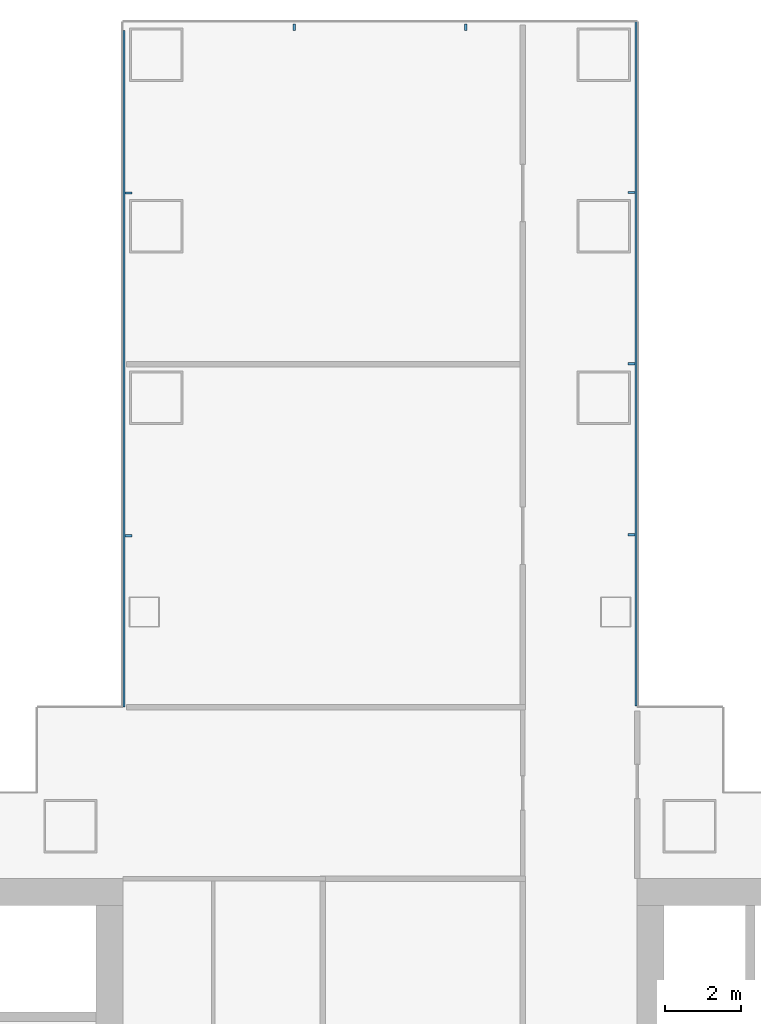
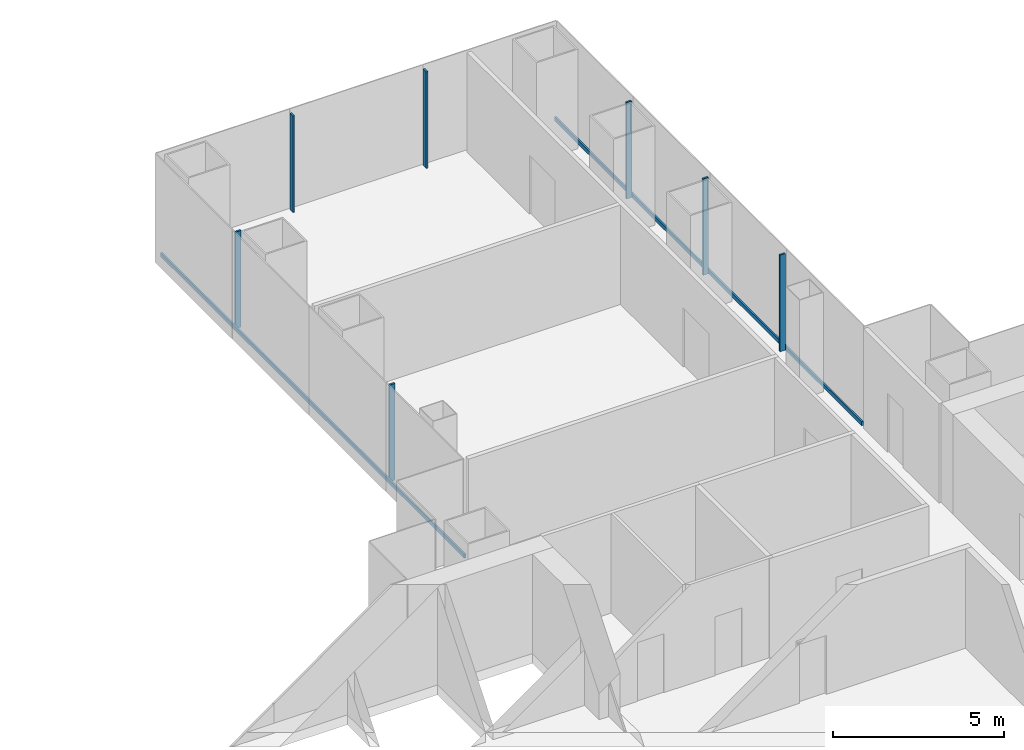
# One storey, part 10 of 21: 9 members, 3 elements without a shape of their own.
"""IFC4 building model written with IfcOpenShell, lengths in metres."""

from ifc_helpers import new_model, si_unit, direction, frame, origin, origin_2d, place, context, subcontext, project, spatial, rectangle, extrude, material, layer, layer_set, material_profile, profile_set, type_object, element, aggregate, save


model = new_model("IFC4")

# Units and contexts
model_context = context("Model", 3, precision=1e-05, world=origin(), true_north=direction((0.0, 1.0)))
body_context = subcontext(model_context, "Body", "Model", "MODEL_VIEW")
ifc_project = project(units=[si_unit("LENGTHUNIT", "METRE"), si_unit("AREAUNIT", "SQUARE_METRE"), si_unit("VOLUMEUNIT", "CUBIC_METRE"), si_unit("PLANEANGLEUNIT", "RADIAN"), si_unit("MASSUNIT", "GRAM", prefix="KILO")], contexts=[model_context])

# Site, building, storey
site_placement = place(None, origin())
site = spatial("IfcSite", under=ifc_project, at=site_placement, CompositionType="ELEMENT")
building_placement = place(site_placement, origin())
building = spatial("IfcBuilding", under=site, at=building_placement, Name="Shamsa Quay Exchange Towers", CompositionType="ELEMENT")
storey_placement = place(building_placement, frame((0.0, 0.0, 65.39990234375)))
storey = spatial("IfcBuildingStorey", under=building, at=storey_placement, Name="L14", CompositionType="ELEMENT", Elevation=65.39990234375)

# Curtain wall, members
ifc_material = material(Name="Aluminium EN AW-6063 T6, black anodised", Category="aluminium")
ifc_layer = layer(ifc_material, 0.280029296875)
ifc_layer_set = layer_set([ifc_layer], Name="CW-1 UNITISED VISION GLASS")
curtain_wall_type = type_object("IfcCurtainWallType", Name="CW-1 UNITISED VISION GLASS", PredefinedType="NOTDEFINED", material=ifc_layer_set)
curtain_wall_1_placement = place(storey_placement, origin())
curtain_wall_1 = element("IfcCurtainWall", 1, at=curtain_wall_1_placement, inside=storey, type_object=curtain_wall_type, Name="CW1 T2-FLK-U+S L14", PredefinedType="NOTDEFINED")
ifc_material_profile_1 = material_profile(ifc_material, rectangle(XDim=0.179931640625, YDim=0.06005859375, at=origin_2d()), Name="MU60x180")
ifc_profile_set_1 = profile_set([ifc_material_profile_1], Name="Aluminium EN AW-6063 T6, black anodised")
member_type_1 = type_object("IfcMemberType", Name="CW1 MULLION 60x180", PredefinedType="MULLION", material=ifc_profile_set_1)
member_1_placement = place(storey_placement, frame((40.35009765625, 15.778564453125, 0.0), z_axis=(0.0, 0.0, 1.0), x_axis=(-1.0, 0.0, 0.0)))
member_1 = element("IfcMember", 2, at=member_1_placement, type_object=member_type_1, Name="CW1 mullion", PredefinedType="MULLION", context=body_context, shape_type="SweptSolid", body=[
    extrude(rectangle(XDim=0.179931640625, YDim=0.06005859375, at=origin_2d()), origin(), (0.0, 0.0, 1.0), 3.4501953125),
])
member_2_placement = place(storey_placement, frame((40.35009765625, 20.26904296875, 0.0), z_axis=(0.0, 0.0, 1.0), x_axis=(-1.0, 0.0, 0.0)))
member_2 = element("IfcMember", 3, at=member_2_placement, type_object=member_type_1, Name="CW1 mullion", PredefinedType="MULLION", context=body_context, shape_type="SweptSolid", body=[
    extrude(rectangle(XDim=0.179931640625, YDim=0.06005859375, at=origin_2d()), origin(), (0.0, 0.0, 1.0), 3.4501953125),
])
member_3_placement = place(storey_placement, frame((40.35009765625, 24.759521484375, 0.0), z_axis=(0.0, 0.0, 1.0), x_axis=(-1.0, 0.0, 0.0)))
member_3 = element("IfcMember", 4, at=member_3_placement, type_object=member_type_1, Name="CW1 mullion", PredefinedType="MULLION", context=body_context, shape_type="SweptSolid", body=[
    extrude(rectangle(XDim=0.179931640625, YDim=0.06005859375, at=origin_2d()), origin(), (0.0, 0.0, 1.0), 3.4501953125),
])

curtain_wall_2_placement = place(storey_placement, origin())
curtain_wall_2 = element("IfcCurtainWall", 5, at=curtain_wall_2_placement, inside=storey, type_object=curtain_wall_type, Name="CW1 T2-END-U+ L14", PredefinedType="NOTDEFINED")
member_4_placement = place(storey_placement, frame((36.0, 29.10009765625, 0.0), z_axis=(0.0, 0.0, 1.0), x_axis=(0.0, -1.0, 0.0)))
member_4 = element("IfcMember", 6, at=member_4_placement, type_object=member_type_1, Name="CW1 mullion", PredefinedType="MULLION", context=body_context, shape_type="SweptSolid", body=[
    extrude(rectangle(XDim=0.179931640625, YDim=0.06005859375, at=origin_2d()), origin(), (0.0, 0.0, 1.0), 3.4501953125),
])
member_5_placement = place(storey_placement, frame((31.5, 29.10009765625, 0.0), z_axis=(0.0, 0.0, 1.0), x_axis=(0.0, -1.0, 0.0)))
member_5 = element("IfcMember", 7, at=member_5_placement, type_object=member_type_1, Name="CW1 mullion", PredefinedType="MULLION", context=body_context, shape_type="SweptSolid", body=[
    extrude(rectangle(XDim=0.179931640625, YDim=0.06005859375, at=origin_2d()), origin(), (0.0, 0.0, 1.0), 3.4501953125),
])
aggregate(curtain_wall_2, [member_4, member_5])

curtain_wall_3_placement = place(storey_placement, origin())
curtain_wall_3 = element("IfcCurtainWall", 8, at=curtain_wall_3_placement, inside=storey, type_object=curtain_wall_type, Name="CW1 T2-FLK-U+N L14", PredefinedType="NOTDEFINED")
member_6_placement = place(storey_placement, frame((27.14990234375, 24.75, 0.0)))
member_6 = element("IfcMember", 9, at=member_6_placement, type_object=member_type_1, Name="CW1 mullion", PredefinedType="MULLION", context=body_context, shape_type="SweptSolid", body=[
    extrude(rectangle(XDim=0.179931640625, YDim=0.06005859375, at=origin_2d()), origin(), (0.0, 0.0, 1.0), 3.4501953125),
])
member_7_placement = place(storey_placement, frame((27.14990234375, 15.75, 0.0)))
member_7 = element("IfcMember", 10, at=member_7_placement, type_object=member_type_1, Name="CW1 mullion", PredefinedType="MULLION", context=body_context, shape_type="SweptSolid", body=[
    extrude(rectangle(XDim=0.179931640625, YDim=0.06005859375, at=origin_2d()), origin(), (0.0, 0.0, 1.0), 3.4501953125),
])

# Member
ifc_material_profile_2 = material_profile(ifc_material, rectangle(XDim=0.06005859375, YDim=0.139892578125, at=origin_2d()), Name="TR140x60")
ifc_profile_set_2 = profile_set([ifc_material_profile_2], Name="Aluminium EN AW-6063 T6, black anodised")
member_type_2 = type_object("IfcMemberType", Name="CW1 TRANSOM 140x60", PredefinedType="USERDEFINED", material=ifc_profile_set_2)
member_8_placement = place(storey_placement, frame((40.469970703125, 11.2880859375, 0.070068359375), z_axis=(0.0, 1.0, 0.0), x_axis=(-1.0, 0.0, 0.0)))
member_8 = element("IfcMember", 11, at=member_8_placement, type_object=member_type_2, Name="CW1 transom", ObjectType="TRANSOM", PredefinedType="USERDEFINED", context=body_context, shape_type="SweptSolid", body=[
    extrude(rectangle(XDim=0.06005859375, YDim=0.139892578125, at=origin_2d()), origin(), (0.0, 0.0, 1.0), 17.9619140625),
])

aggregate(curtain_wall_1, [member_8, member_1, member_2, member_3])

member_9_placement = place(storey_placement, frame((27.030029296875, 29.008056640625, 0.070068359375), z_axis=(0.0, -1.0, 0.0), x_axis=(1.0, 0.0, 0.0)))
member_9 = element("IfcMember", 12, at=member_9_placement, type_object=member_type_2, Name="CW1 transom", ObjectType="TRANSOM", PredefinedType="USERDEFINED", context=body_context, shape_type="SweptSolid", body=[
    extrude(rectangle(XDim=0.06005859375, YDim=0.139892578125, at=origin_2d()), origin(), (0.0, 0.0, 1.0), 17.758056640625),
])

aggregate(curtain_wall_3, [member_9, member_6, member_7])

save(model, "model.ifc")
